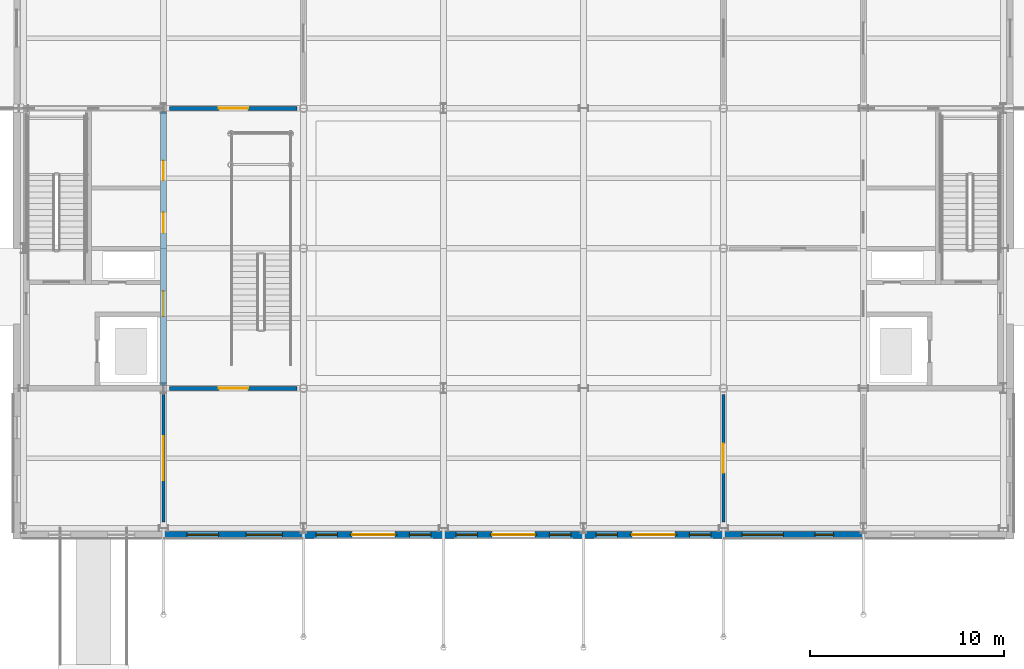
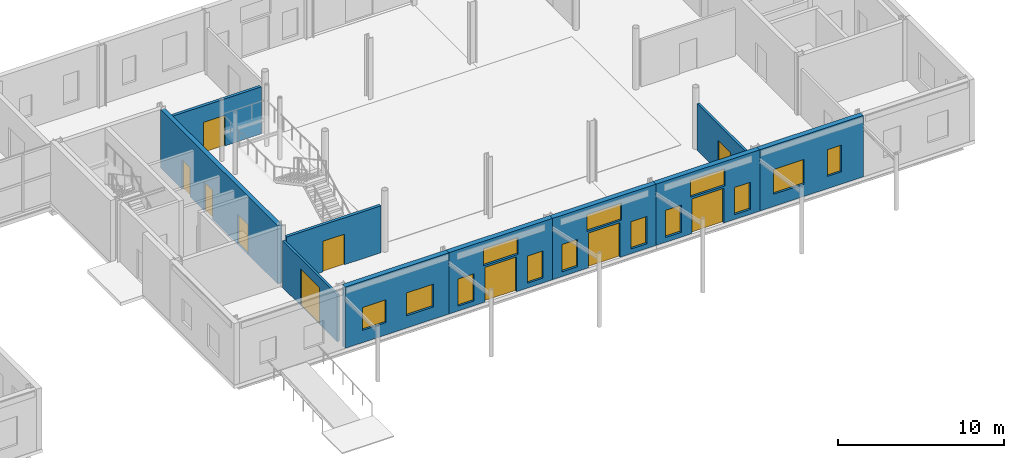
# One storey, part 57 of 92: 13 windows, 10 doors, 10 walls, 23 openings.
"""IFC4 building model written with IfcOpenShell, lengths in metres."""

from ifc_helpers import new_model, si_unit, direction, frame, frame_2d, origin, place, context, subcontext, project, spatial, rectangle, extrude, material, layer, layer_set, type_object, element, fill, save


model = new_model("IFC4")

# Units and contexts
model_context = context("Model", 3, precision=1e-05, world=origin(), true_north=direction((0.0, 1.0)))
body_context = subcontext(model_context, "Body", "Model", "MODEL_VIEW")
ifc_project = project(units=[si_unit("LENGTHUNIT", "METRE"), si_unit("AREAUNIT", "SQUARE_METRE"), si_unit("VOLUMEUNIT", "CUBIC_METRE"), si_unit("PLANEANGLEUNIT", "RADIAN"), si_unit("MASSUNIT", "GRAM", prefix="KILO")], contexts=[model_context])

# Site, building, storey
site_placement = place(None, origin())
site = spatial("IfcSite", under=ifc_project, at=site_placement, CompositionType="ELEMENT")
building_placement = place(site_placement, origin())
building = spatial("IfcBuilding", under=site, at=building_placement, Name="Zlatovets Crest Museum", CompositionType="ELEMENT")
storey_placement = place(building_placement, origin())
storey = spatial("IfcBuildingStorey", under=building, at=storey_placement, Name="L00", CompositionType="ELEMENT", Elevation=0.0)

# Wall, openings, doors
ifc_material_1 = material(Name="Concrete C35/45", Category="concrete")
ifc_layer_1 = layer(ifc_material_1, 0.300048828125)
ifc_layer_set_1 = layer_set([ifc_layer_1], Name="Concrete C35/45")
wall_type_1 = type_object("IfcWallType", Name="CoreWall_SW01", PredefinedType="SHEAR", material=ifc_layer_set_1)
wall_1_placement = place(storey_placement, frame((64.800048828125, 7.35009765625, 0.0), z_axis=(0.0, 0.0, 1.0), x_axis=(0.0, 1.0, 0.0)))
wall_1 = element("IfcWall", 1, at=wall_1_placement, inside=storey, type_object=wall_type_1, Name="Core C2 L00 Spine Shear Wall", PredefinedType="SHEAR", context=body_context, shape_type="SweptSolid", body=[
    extrude(rectangle(XDim=14.099853515625, YDim=0.300048828125, at=frame_2d((7.0498046875, 0.0))), origin(), (0.0, 0.0, 1.0), 4.280029296875),
])
opening_1_placement = place(wall_1_placement, frame((3.550048828125, 0.0, 0.0)))
opening_1 = element("IfcOpeningElement", 2, at=opening_1_placement, cuts=wall_1, Name="Opening FD-01", PredefinedType="OPENING", context=body_context, shape_type="SweptSolid", body=[
    extrude(rectangle(XDim=1.300048828125, YDim=2.199951171875, at=frame_2d((0.64990234375, 1.10009765625))), frame((0.0, 0.16015625, 0.0), z_axis=(0.0, -1.0, 0.0), x_axis=(1.0, 0.0, 0.0)), (0.0, 0.0, 1.0), 0.320068359375),
])
opening_2_placement = place(wall_1_placement, frame((7.85009765625, 0.0, 0.0)))
opening_2 = element("IfcOpeningElement", 3, at=opening_2_placement, cuts=wall_1, Name="Opening ID-02", PredefinedType="OPENING", context=body_context, shape_type="SweptSolid", body=[
    extrude(rectangle(XDim=1.050048828125, YDim=2.14990234375, at=frame_2d((0.52490234375, 1.074951171875))), frame((0.0, 0.16015625, 0.0), z_axis=(0.0, -1.0, 0.0), x_axis=(1.0, 0.0, 0.0)), (0.0, 0.0, 1.0), 0.320068359375),
])
opening_3_placement = place(wall_1_placement, frame((10.550048828125, 0.0, 0.0)))
opening_3 = element("IfcOpeningElement", 4, at=opening_3_placement, cuts=wall_1, Name="Opening ID-01", PredefinedType="OPENING", context=body_context, shape_type="SweptSolid", body=[
    extrude(rectangle(XDim=1.0, YDim=2.14990234375, at=frame_2d((0.5, 1.074951171875))), frame((0.0, 0.16015625, 0.0), z_axis=(0.0, -1.0, 0.0), x_axis=(1.0, 0.0, 0.0)), (0.0, 0.0, 1.0), 0.320068359375),
])
ifc_material_2 = material(Name="Smoke-sealed steel fire door", Category="steel")
door_type_1 = type_object("IfcDoorType", Name="IntDoor_FD-01", OperationType="NOTDEFINED", PredefinedType="DOOR", material=ifc_material_2)
door_1_placement = place(opening_1_placement, origin())
door_1 = element("IfcDoor", 5, at=door_1_placement, inside=storey, type_object=door_type_1, Name="CDOOR-C2-L00-LOB Core C2 L00 Lobby Fire Door", OperationType="SINGLE_SWING_RIGHT", OverallHeight=2.199951171875, OverallWidth=1.300048828125, PredefinedType="DOOR", context=body_context, shape_type="SweptSolid", body=[
    extrude(rectangle(XDim=1.300048828125, YDim=2.199951171875, at=frame_2d((0.64990234375, 1.10009765625))), frame((0.0, 0.02490234375, 0.0), z_axis=(0.0, -1.0, 0.0), x_axis=(1.0, 0.0, 0.0)), (0.0, 0.0, 1.0), 0.050048828125),
])
fill(opening_1, door_1)
ifc_material_3 = material(Name="Solid oak museum room door")
door_type_2 = type_object("IfcDoorType", Name="IntDoor_ID-01", OperationType="NOTDEFINED", PredefinedType="DOOR", material=ifc_material_3)
door_2_placement = place(opening_3_placement, origin())
door_2 = element("IfcDoor", 6, at=door_2_placement, inside=storey, type_object=door_type_2, Name="CDOOR-C2-L00-WC Core C2 L00 Public Restroom Door", OperationType="SINGLE_SWING_RIGHT", OverallHeight=2.14990234375, OverallWidth=1.0, PredefinedType="DOOR", context=body_context, shape_type="SweptSolid", body=[
    extrude(rectangle(XDim=1.0, YDim=2.14990234375, at=frame_2d((0.5, 1.074951171875))), frame((0.0, 0.02490234375, 0.0), z_axis=(0.0, -1.0, 0.0), x_axis=(1.0, 0.0, 0.0)), (0.0, 0.0, 1.0), 0.050048828125),
])
fill(opening_3, door_2)
ifc_material_4 = material(Name="Accessible sanitary room door")
door_type_3 = type_object("IfcDoorType", Name="IntDoor_ID-02", OperationType="NOTDEFINED", PredefinedType="DOOR", material=ifc_material_4)
door_3_placement = place(opening_2_placement, origin())
door_3 = element("IfcDoor", 7, at=door_3_placement, inside=storey, type_object=door_type_3, Name="CDOOR-C2-L00-AWC Core C2 L00 Accessible WC Door", OperationType="SINGLE_SWING_LEFT", OverallHeight=2.14990234375, OverallWidth=1.050048828125, PredefinedType="DOOR", context=body_context, shape_type="SweptSolid", body=[
    extrude(rectangle(XDim=1.050048828125, YDim=2.14990234375, at=frame_2d((0.52490234375, 1.074951171875))), frame((0.0, 0.02490234375, 0.0), z_axis=(0.0, -1.0, 0.0), x_axis=(1.0, 0.0, 0.0)), (0.0, 0.0, 1.0), 0.050048828125),
])
fill(opening_2, door_3)

# Wall, openings, windows
ifc_material_5 = material(Name="Vratsa limestone ashlar masonry and mineral wool", Category="masonry")
ifc_layer_2 = layer(ifc_material_5, 0.35009765625)
ifc_layer_set_2 = layer_set([ifc_layer_2], Name="Vratsa limestone ashlar masonry and mineral wool")
wall_type_2 = type_object("IfcWallType", Name="ExtWall_EW-01", PredefinedType="STANDARD", material=ifc_layer_set_2)
wall_2_placement = place(storey_placement, frame((64.800048828125, -0.340087890625, 0.0), z_axis=(0.0, 0.0, 1.0), x_axis=(1.0, 0.0, 0.0)))
wall_2 = element("IfcWall", 8, at=wall_2_placement, inside=storey, type_object=wall_type_2, Name="V2 L00 Vratsa Limestone Plinth Wall", PredefinedType="STANDARD", context=body_context, shape_type="SweptSolid", body=[
    extrude(rectangle(XDim=7.199951171875, YDim=0.35009765625, at=frame_2d((3.60009765625, 0.0))), origin(), (0.0, 0.0, 1.0), 4.5),
])
opening_4_placement = place(wall_2_placement, frame((1.200927734375, 0.0, 0.89990234375)))
opening_4 = element("IfcOpeningElement", 9, at=opening_4_placement, cuts=wall_2, Name="Opening WN-25", PredefinedType="OPENING", context=body_context, shape_type="SweptSolid", body=[
    extrude(rectangle(XDim=1.6298828125, YDim=1.679931640625, at=frame_2d((0.81494140625, 0.83984375))), frame((0.0, 0.18505859375, 0.0), z_axis=(0.0, -1.0, 0.0), x_axis=(1.0, 0.0, 0.0)), (0.0, 0.0, 1.0), 0.3701171875),
])
opening_5_placement = place(wall_2_placement, frame((4.2490234375, 0.0, 0.89990234375)))
opening_5 = element("IfcOpeningElement", 10, at=opening_5_placement, cuts=wall_2, Name="Opening WN-26", PredefinedType="OPENING", context=body_context, shape_type="SweptSolid", body=[
    extrude(rectangle(XDim=1.8701171875, YDim=1.679931640625, at=frame_2d((0.93505859375, 0.83984375))), frame((0.0, 0.18505859375, 0.0), z_axis=(0.0, -1.0, 0.0), x_axis=(1.0, 0.0, 0.0)), (0.0, 0.0, 1.0), 0.3701171875),
])
ifc_material_6 = material(Name="Bronze-anodised aluminium frame with low-E triple glass", Category="aluminium")
window_type_1 = type_object("IfcWindowType", Name="Win_WN-25", PartitioningType="SINGLE_PANEL", PredefinedType="WINDOW", material=ifc_material_6)
window_1_placement = place(opening_4_placement, origin())
window_1 = element("IfcWindow", 11, at=window_1_placement, inside=storey, type_object=window_type_1, Name="V2 L00 Secession Plinth Window WN-25", OverallHeight=1.679931640625, OverallWidth=1.6298828125, PartitioningType="SINGLE_PANEL", PredefinedType="WINDOW", context=body_context, shape_type="SweptSolid", body=[
    extrude(rectangle(XDim=1.6298828125, YDim=1.679931640625, at=frame_2d((0.81494140625, 0.83984375))), frame((0.0, 0.030029296875, 0.0), z_axis=(0.0, -1.0, 0.0), x_axis=(1.0, 0.0, 0.0)), (0.0, 0.0, 1.0), 0.06005859375),
])
fill(opening_4, window_1)
window_type_2 = type_object("IfcWindowType", Name="Win_WN-26", PartitioningType="SINGLE_PANEL", PredefinedType="WINDOW", material=ifc_material_6)
window_2_placement = place(opening_5_placement, origin())
window_2 = element("IfcWindow", 12, at=window_2_placement, inside=storey, type_object=window_type_2, Name="V2 L00 Secession Plinth Window WN-26", OverallHeight=1.679931640625, OverallWidth=1.8701171875, PartitioningType="SINGLE_PANEL", PredefinedType="WINDOW", context=body_context, shape_type="SweptSolid", body=[
    extrude(rectangle(XDim=1.8701171875, YDim=1.679931640625, at=frame_2d((0.93505859375, 0.83984375))), frame((0.0, 0.030029296875, 0.0), z_axis=(0.0, -1.0, 0.0), x_axis=(1.0, 0.0, 0.0)), (0.0, 0.0, 1.0), 0.06005859375),
])
fill(opening_5, window_2)

# Wall, openings, door, windows
wall_3_placement = place(storey_placement, frame((72.0, -0.340087890625, 0.0), z_axis=(0.0, 0.0, 1.0), x_axis=(1.0, 0.0, 0.0)))
wall_3 = element("IfcWall", 13, at=wall_3_placement, inside=storey, type_object=wall_type_2, Name="V2 L00 Sculpted Art Nouveau Portal Wall", PredefinedType="STANDARD", context=body_context, shape_type="SweptSolid", body=[
    extrude(rectangle(XDim=7.199951171875, YDim=0.35009765625, at=frame_2d((3.60009765625, 0.0))), origin(), (0.0, 0.0, 1.0), 4.5),
])
opening_6_placement = place(wall_3_placement, frame((2.5, 0.0, 0.0)))
opening_6 = element("IfcOpeningElement", 14, at=opening_6_placement, cuts=wall_3, Name="Opening ED-01", PredefinedType="OPENING", context=body_context, shape_type="SweptSolid", body=[
    extrude(rectangle(XDim=2.199951171875, YDim=2.550048828125, at=frame_2d((1.10009765625, 1.27490234375))), frame((0.0, 0.18505859375, 0.0), z_axis=(0.0, -1.0, 0.0), x_axis=(1.0, 0.0, 0.0)), (0.0, 0.0, 1.0), 0.3701171875),
])
opening_7_placement = place(wall_3_placement, frame((2.39990234375, 0.0, 2.699951171875)))
opening_7 = element("IfcOpeningElement", 15, at=opening_7_placement, cuts=wall_3, Name="Opening WN-14", PredefinedType="OPENING", context=body_context, shape_type="SweptSolid", body=[
    extrude(rectangle(XDim=2.39990234375, YDim=1.25, at=frame_2d((1.199951171875, 0.625))), frame((0.0, 0.18505859375, 0.0), z_axis=(0.0, -1.0, 0.0), x_axis=(1.0, 0.0, 0.0)), (0.0, 0.0, 1.0), 0.3701171875),
])
opening_8_placement = place(wall_3_placement, frame((0.64990234375, 0.0, 0.35009765625)))
opening_8 = element("IfcOpeningElement", 16, at=opening_8_placement, cuts=wall_3, Name="Opening WN-06", PredefinedType="OPENING", context=body_context, shape_type="SweptSolid", body=[
    extrude(rectangle(XDim=1.10009765625, YDim=2.0, at=frame_2d((0.550048828125, 1.0))), frame((0.0, 0.18505859375, 0.0), z_axis=(0.0, -1.0, 0.0), x_axis=(1.0, 0.0, 0.0)), (0.0, 0.0, 1.0), 0.3701171875),
])
opening_9_placement = place(wall_3_placement, frame((5.449951171875, 0.0, 0.35009765625)))
opening_9 = element("IfcOpeningElement", 17, at=opening_9_placement, cuts=wall_3, Name="Opening WN-06", PredefinedType="OPENING", context=body_context, shape_type="SweptSolid", body=[
    extrude(rectangle(XDim=1.10009765625, YDim=2.0, at=frame_2d((0.550048828125, 1.0))), frame((0.0, 0.18505859375, 0.0), z_axis=(0.0, -1.0, 0.0), x_axis=(1.0, 0.0, 0.0)), (0.0, 0.0, 1.0), 0.3701171875),
])
ifc_material_7 = material(Name="Bronze-clad insulated steel door", Category="steel")
door_type_4 = type_object("IfcDoorType", Name="ExtDoor_ED-01", OperationType="NOTDEFINED", PredefinedType="DOOR", material=ifc_material_7)
door_4_placement = place(opening_6_placement, origin())
door_4 = element("IfcDoor", 18, at=door_4_placement, inside=storey, type_object=door_type_4, Name="ED-V2-L00-P012 MAIN BOULEVARD ENTRANCE Exit Door", OperationType="DOUBLE_DOOR_SINGLE_SWING", OverallHeight=2.550048828125, OverallWidth=2.199951171875, PredefinedType="DOOR", context=body_context, shape_type="SweptSolid", body=[
    extrude(rectangle(XDim=2.199951171875, YDim=2.550048828125, at=frame_2d((1.10009765625, 1.27490234375))), frame((0.0, 0.02490234375, 0.0), z_axis=(0.0, -1.0, 0.0), x_axis=(1.0, 0.0, 0.0)), (0.0, 0.0, 1.0), 0.050048828125),
])
fill(opening_6, door_4)
window_type_3 = type_object("IfcWindowType", Name="Win_WN-06", PartitioningType="SINGLE_PANEL", PredefinedType="WINDOW", material=ifc_material_6)
window_3_placement = place(opening_8_placement, origin())
window_3 = element("IfcWindow", 19, at=window_3_placement, inside=storey, type_object=window_type_3, Name="MAIN BOULEVARD ENTRANCE Glazed Portal Sidelight 1", OverallHeight=2.0, OverallWidth=1.10009765625, PartitioningType="SINGLE_PANEL", PredefinedType="WINDOW", context=body_context, shape_type="SweptSolid", body=[
    extrude(rectangle(XDim=1.10009765625, YDim=2.0, at=frame_2d((0.550048828125, 1.0))), frame((0.0, 0.030029296875, 0.0), z_axis=(0.0, -1.0, 0.0), x_axis=(1.0, 0.0, 0.0)), (0.0, 0.0, 1.0), 0.06005859375),
])
fill(opening_8, window_3)
window_4_placement = place(opening_9_placement, origin())
window_4 = element("IfcWindow", 20, at=window_4_placement, inside=storey, type_object=window_type_3, Name="MAIN BOULEVARD ENTRANCE Glazed Portal Sidelight 2", OverallHeight=2.0, OverallWidth=1.10009765625, PartitioningType="SINGLE_PANEL", PredefinedType="WINDOW", context=body_context, shape_type="SweptSolid", body=[
    extrude(rectangle(XDim=1.10009765625, YDim=2.0, at=frame_2d((0.550048828125, 1.0))), frame((0.0, 0.030029296875, 0.0), z_axis=(0.0, -1.0, 0.0), x_axis=(1.0, 0.0, 0.0)), (0.0, 0.0, 1.0), 0.06005859375),
])
fill(opening_9, window_4)
window_type_4 = type_object("IfcWindowType", Name="Win_WN-14", PartitioningType="SINGLE_PANEL", PredefinedType="WINDOW", material=ifc_material_6)
window_5_placement = place(opening_7_placement, origin())
window_5 = element("IfcWindow", 21, at=window_5_placement, inside=storey, type_object=window_type_4, Name="MAIN BOULEVARD ENTRANCE Arched Portal Fanlight", OverallHeight=1.25, OverallWidth=2.39990234375, PartitioningType="SINGLE_PANEL", PredefinedType="WINDOW", context=body_context, shape_type="SweptSolid", body=[
    extrude(rectangle(XDim=2.39990234375, YDim=1.25, at=frame_2d((1.199951171875, 0.625))), frame((0.0, 0.030029296875, 0.0), z_axis=(0.0, -1.0, 0.0), x_axis=(1.0, 0.0, 0.0)), (0.0, 0.0, 1.0), 0.06005859375),
])
fill(opening_7, window_5)

wall_4_placement = place(storey_placement, frame((79.199951171875, -0.340087890625, 0.0), z_axis=(0.0, 0.0, 1.0), x_axis=(1.0, 0.0, 0.0)))
wall_4 = element("IfcWall", 22, at=wall_4_placement, inside=storey, type_object=wall_type_2, Name="V2 L00 Sculpted Art Nouveau Portal Wall", PredefinedType="STANDARD", context=body_context, shape_type="SweptSolid", body=[
    extrude(rectangle(XDim=7.199951171875, YDim=0.35009765625, at=frame_2d((3.60009765625, 0.0))), origin(), (0.0, 0.0, 1.0), 4.5),
])
opening_10_placement = place(wall_4_placement, frame((2.5, 0.0, 0.0)))
opening_10 = element("IfcOpeningElement", 23, at=opening_10_placement, cuts=wall_4, Name="Opening ED-01", PredefinedType="OPENING", context=body_context, shape_type="SweptSolid", body=[
    extrude(rectangle(XDim=2.199951171875, YDim=2.550048828125, at=frame_2d((1.10009765625, 1.27490234375))), frame((0.0, 0.18505859375, 0.0), z_axis=(0.0, -1.0, 0.0), x_axis=(1.0, 0.0, 0.0)), (0.0, 0.0, 1.0), 0.3701171875),
])
opening_11_placement = place(wall_4_placement, frame((2.39990234375, 0.0, 2.699951171875)))
opening_11 = element("IfcOpeningElement", 24, at=opening_11_placement, cuts=wall_4, Name="Opening WN-14", PredefinedType="OPENING", context=body_context, shape_type="SweptSolid", body=[
    extrude(rectangle(XDim=2.39990234375, YDim=1.25, at=frame_2d((1.199951171875, 0.625))), frame((0.0, 0.18505859375, 0.0), z_axis=(0.0, -1.0, 0.0), x_axis=(1.0, 0.0, 0.0)), (0.0, 0.0, 1.0), 0.3701171875),
])
opening_12_placement = place(wall_4_placement, frame((0.64990234375, 0.0, 0.35009765625)))
opening_12 = element("IfcOpeningElement", 25, at=opening_12_placement, cuts=wall_4, Name="Opening WN-06", PredefinedType="OPENING", context=body_context, shape_type="SweptSolid", body=[
    extrude(rectangle(XDim=1.10009765625, YDim=2.0, at=frame_2d((0.550048828125, 1.0))), frame((0.0, 0.18505859375, 0.0), z_axis=(0.0, -1.0, 0.0), x_axis=(1.0, 0.0, 0.0)), (0.0, 0.0, 1.0), 0.3701171875),
])
opening_13_placement = place(wall_4_placement, frame((5.449951171875, 0.0, 0.35009765625)))
opening_13 = element("IfcOpeningElement", 26, at=opening_13_placement, cuts=wall_4, Name="Opening WN-06", PredefinedType="OPENING", context=body_context, shape_type="SweptSolid", body=[
    extrude(rectangle(XDim=1.10009765625, YDim=2.0, at=frame_2d((0.550048828125, 1.0))), frame((0.0, 0.18505859375, 0.0), z_axis=(0.0, -1.0, 0.0), x_axis=(1.0, 0.0, 0.0)), (0.0, 0.0, 1.0), 0.3701171875),
])
door_5_placement = place(opening_10_placement, origin())
door_5 = element("IfcDoor", 27, at=door_5_placement, inside=storey, type_object=door_type_4, Name="ED-V2-L00-P013 MAIN BOULEVARD ENTRANCE Exit Door", OperationType="DOUBLE_DOOR_SINGLE_SWING", OverallHeight=2.550048828125, OverallWidth=2.199951171875, PredefinedType="DOOR", context=body_context, shape_type="SweptSolid", body=[
    extrude(rectangle(XDim=2.199951171875, YDim=2.550048828125, at=frame_2d((1.10009765625, 1.27490234375))), frame((0.0, 0.02490234375, 0.0), z_axis=(0.0, -1.0, 0.0), x_axis=(1.0, 0.0, 0.0)), (0.0, 0.0, 1.0), 0.050048828125),
])
fill(opening_10, door_5)
window_6_placement = place(opening_12_placement, origin())
window_6 = element("IfcWindow", 28, at=window_6_placement, inside=storey, type_object=window_type_3, Name="MAIN BOULEVARD ENTRANCE Glazed Portal Sidelight 1", OverallHeight=2.0, OverallWidth=1.10009765625, PartitioningType="SINGLE_PANEL", PredefinedType="WINDOW", context=body_context, shape_type="SweptSolid", body=[
    extrude(rectangle(XDim=1.10009765625, YDim=2.0, at=frame_2d((0.550048828125, 1.0))), frame((0.0, 0.030029296875, 0.0), z_axis=(0.0, -1.0, 0.0), x_axis=(1.0, 0.0, 0.0)), (0.0, 0.0, 1.0), 0.06005859375),
])
fill(opening_12, window_6)
window_7_placement = place(opening_13_placement, origin())
window_7 = element("IfcWindow", 29, at=window_7_placement, inside=storey, type_object=window_type_3, Name="MAIN BOULEVARD ENTRANCE Glazed Portal Sidelight 2", OverallHeight=2.0, OverallWidth=1.10009765625, PartitioningType="SINGLE_PANEL", PredefinedType="WINDOW", context=body_context, shape_type="SweptSolid", body=[
    extrude(rectangle(XDim=1.10009765625, YDim=2.0, at=frame_2d((0.550048828125, 1.0))), frame((0.0, 0.030029296875, 0.0), z_axis=(0.0, -1.0, 0.0), x_axis=(1.0, 0.0, 0.0)), (0.0, 0.0, 1.0), 0.06005859375),
])
fill(opening_13, window_7)
window_8_placement = place(opening_11_placement, origin())
window_8 = element("IfcWindow", 30, at=window_8_placement, inside=storey, type_object=window_type_4, Name="MAIN BOULEVARD ENTRANCE Arched Portal Fanlight", OverallHeight=1.25, OverallWidth=2.39990234375, PartitioningType="SINGLE_PANEL", PredefinedType="WINDOW", context=body_context, shape_type="SweptSolid", body=[
    extrude(rectangle(XDim=2.39990234375, YDim=1.25, at=frame_2d((1.199951171875, 0.625))), frame((0.0, 0.030029296875, 0.0), z_axis=(0.0, -1.0, 0.0), x_axis=(1.0, 0.0, 0.0)), (0.0, 0.0, 1.0), 0.06005859375),
])
fill(opening_11, window_8)

wall_5_placement = place(storey_placement, frame((86.39990234375, -0.340087890625, 0.0), z_axis=(0.0, 0.0, 1.0), x_axis=(1.0, 0.0, 0.0)))
wall_5 = element("IfcWall", 31, at=wall_5_placement, inside=storey, type_object=wall_type_2, Name="V2 L00 Sculpted Art Nouveau Portal Wall", PredefinedType="STANDARD", context=body_context, shape_type="SweptSolid", body=[
    extrude(rectangle(XDim=7.2001953125, YDim=0.35009765625, at=frame_2d((3.60009765625, 0.0))), origin(), (0.0, 0.0, 1.0), 4.5),
])
opening_14_placement = place(wall_5_placement, frame((2.5, 0.0, 0.0)))
opening_14 = element("IfcOpeningElement", 32, at=opening_14_placement, cuts=wall_5, Name="Opening ED-01", PredefinedType="OPENING", context=body_context, shape_type="SweptSolid", body=[
    extrude(rectangle(XDim=2.199951171875, YDim=2.550048828125, at=frame_2d((1.10009765625, 1.27490234375))), frame((0.0, 0.18505859375, 0.0), z_axis=(0.0, -1.0, 0.0), x_axis=(1.0, 0.0, 0.0)), (0.0, 0.0, 1.0), 0.3701171875),
])
opening_15_placement = place(wall_5_placement, frame((2.39990234375, 0.0, 2.699951171875)))
opening_15 = element("IfcOpeningElement", 33, at=opening_15_placement, cuts=wall_5, Name="Opening WN-14", PredefinedType="OPENING", context=body_context, shape_type="SweptSolid", body=[
    extrude(rectangle(XDim=2.39990234375, YDim=1.25, at=frame_2d((1.199951171875, 0.625))), frame((0.0, 0.18505859375, 0.0), z_axis=(0.0, -1.0, 0.0), x_axis=(1.0, 0.0, 0.0)), (0.0, 0.0, 1.0), 0.3701171875),
])
opening_16_placement = place(wall_5_placement, frame((0.64990234375, 0.0, 0.35009765625)))
opening_16 = element("IfcOpeningElement", 34, at=opening_16_placement, cuts=wall_5, Name="Opening WN-06", PredefinedType="OPENING", context=body_context, shape_type="SweptSolid", body=[
    extrude(rectangle(XDim=1.10009765625, YDim=2.0, at=frame_2d((0.550048828125, 1.0))), frame((0.0, 0.18505859375, 0.0), z_axis=(0.0, -1.0, 0.0), x_axis=(1.0, 0.0, 0.0)), (0.0, 0.0, 1.0), 0.3701171875),
])
opening_17_placement = place(wall_5_placement, frame((5.449951171875, 0.0, 0.35009765625)))
opening_17 = element("IfcOpeningElement", 35, at=opening_17_placement, cuts=wall_5, Name="Opening WN-06", PredefinedType="OPENING", context=body_context, shape_type="SweptSolid", body=[
    extrude(rectangle(XDim=1.10009765625, YDim=2.0, at=frame_2d((0.550048828125, 1.0))), frame((0.0, 0.18505859375, 0.0), z_axis=(0.0, -1.0, 0.0), x_axis=(1.0, 0.0, 0.0)), (0.0, 0.0, 1.0), 0.3701171875),
])
door_6_placement = place(opening_14_placement, origin())
door_6 = element("IfcDoor", 36, at=door_6_placement, inside=storey, type_object=door_type_4, Name="ED-V2-L00-P014 MAIN BOULEVARD ENTRANCE Exit Door", OperationType="DOUBLE_DOOR_SINGLE_SWING", OverallHeight=2.550048828125, OverallWidth=2.199951171875, PredefinedType="DOOR", context=body_context, shape_type="SweptSolid", body=[
    extrude(rectangle(XDim=2.199951171875, YDim=2.550048828125, at=frame_2d((1.10009765625, 1.27490234375))), frame((0.0, 0.02490234375, 0.0), z_axis=(0.0, -1.0, 0.0), x_axis=(1.0, 0.0, 0.0)), (0.0, 0.0, 1.0), 0.050048828125),
])
fill(opening_14, door_6)
window_9_placement = place(opening_16_placement, origin())
window_9 = element("IfcWindow", 37, at=window_9_placement, inside=storey, type_object=window_type_3, Name="MAIN BOULEVARD ENTRANCE Glazed Portal Sidelight 1", OverallHeight=2.0, OverallWidth=1.10009765625, PartitioningType="SINGLE_PANEL", PredefinedType="WINDOW", context=body_context, shape_type="SweptSolid", body=[
    extrude(rectangle(XDim=1.10009765625, YDim=2.0, at=frame_2d((0.550048828125, 1.0))), frame((0.0, 0.030029296875, 0.0), z_axis=(0.0, -1.0, 0.0), x_axis=(1.0, 0.0, 0.0)), (0.0, 0.0, 1.0), 0.06005859375),
])
fill(opening_16, window_9)
window_10_placement = place(opening_17_placement, origin())
window_10 = element("IfcWindow", 38, at=window_10_placement, inside=storey, type_object=window_type_3, Name="MAIN BOULEVARD ENTRANCE Glazed Portal Sidelight 2", OverallHeight=2.0, OverallWidth=1.10009765625, PartitioningType="SINGLE_PANEL", PredefinedType="WINDOW", context=body_context, shape_type="SweptSolid", body=[
    extrude(rectangle(XDim=1.10009765625, YDim=2.0, at=frame_2d((0.550048828125, 1.0))), frame((0.0, 0.030029296875, 0.0), z_axis=(0.0, -1.0, 0.0), x_axis=(1.0, 0.0, 0.0)), (0.0, 0.0, 1.0), 0.06005859375),
])
fill(opening_17, window_10)
window_11_placement = place(opening_15_placement, origin())
window_11 = element("IfcWindow", 39, at=window_11_placement, inside=storey, type_object=window_type_4, Name="MAIN BOULEVARD ENTRANCE Arched Portal Fanlight", OverallHeight=1.25, OverallWidth=2.39990234375, PartitioningType="SINGLE_PANEL", PredefinedType="WINDOW", context=body_context, shape_type="SweptSolid", body=[
    extrude(rectangle(XDim=2.39990234375, YDim=1.25, at=frame_2d((1.199951171875, 0.625))), frame((0.0, 0.030029296875, 0.0), z_axis=(0.0, -1.0, 0.0), x_axis=(1.0, 0.0, 0.0)), (0.0, 0.0, 1.0), 0.06005859375),
])
fill(opening_15, window_11)

# Wall, openings, windows
wall_6_placement = place(storey_placement, frame((93.60009765625, -0.340087890625, 0.0), z_axis=(0.0, 0.0, 1.0), x_axis=(1.0, 0.0, 0.0)))
wall_6 = element("IfcWall", 40, at=wall_6_placement, inside=storey, type_object=wall_type_2, Name="V2 L00 Vratsa Limestone Plinth Wall", PredefinedType="STANDARD", context=body_context, shape_type="SweptSolid", body=[
    extrude(rectangle(XDim=7.199951171875, YDim=0.35009765625, at=frame_2d((3.60009765625, 0.0))), origin(), (0.0, 0.0, 1.0), 4.5),
])
opening_18_placement = place(wall_6_placement, frame((0.946044921875, 0.0, 0.89990234375)))
opening_18 = element("IfcOpeningElement", 41, at=opening_18_placement, cuts=wall_6, Name="Opening WN-33", PredefinedType="OPENING", context=body_context, shape_type="SweptSolid", body=[
    extrude(rectangle(XDim=2.139892578125, YDim=1.820068359375, at=frame_2d((1.06982421875, 0.91015625))), frame((0.0, 0.18505859375, 0.0), z_axis=(0.0, -1.0, 0.0), x_axis=(1.0, 0.0, 0.0)), (0.0, 0.0, 1.0), 0.3701171875),
])
opening_19_placement = place(wall_6_placement, frame((4.698974609375, 0.0, 0.89990234375)))
opening_19 = element("IfcOpeningElement", 42, at=opening_19_placement, cuts=wall_6, Name="Opening WN-34", PredefinedType="OPENING", context=body_context, shape_type="SweptSolid", body=[
    extrude(rectangle(XDim=0.969970703125, YDim=1.9599609375, at=frame_2d((0.48486328125, 0.97998046875))), frame((0.0, 0.18505859375, 0.0), z_axis=(0.0, -1.0, 0.0), x_axis=(1.0, 0.0, 0.0)), (0.0, 0.0, 1.0), 0.3701171875),
])
window_type_5 = type_object("IfcWindowType", Name="Win_WN-33", PartitioningType="SINGLE_PANEL", PredefinedType="WINDOW", material=ifc_material_6)
window_12_placement = place(opening_18_placement, origin())
window_12 = element("IfcWindow", 43, at=window_12_placement, inside=storey, type_object=window_type_5, Name="V2 L00 Secession Plinth Window WN-33", OverallHeight=1.820068359375, OverallWidth=2.139892578125, PartitioningType="SINGLE_PANEL", PredefinedType="WINDOW", context=body_context, shape_type="SweptSolid", body=[
    extrude(rectangle(XDim=2.139892578125, YDim=1.820068359375, at=frame_2d((1.06982421875, 0.91015625))), frame((0.0, 0.030029296875, 0.0), z_axis=(0.0, -1.0, 0.0), x_axis=(1.0, 0.0, 0.0)), (0.0, 0.0, 1.0), 0.06005859375),
])
fill(opening_18, window_12)
window_type_6 = type_object("IfcWindowType", Name="Win_WN-34", PartitioningType="SINGLE_PANEL", PredefinedType="WINDOW", material=ifc_material_6)
window_13_placement = place(opening_19_placement, origin())
window_13 = element("IfcWindow", 44, at=window_13_placement, inside=storey, type_object=window_type_6, Name="V2 L00 Secession Plinth Window WN-34", OverallHeight=1.9599609375, OverallWidth=0.969970703125, PartitioningType="SINGLE_PANEL", PredefinedType="WINDOW", context=body_context, shape_type="SweptSolid", body=[
    extrude(rectangle(XDim=0.969970703125, YDim=1.9599609375, at=frame_2d((0.48486328125, 0.97998046875))), frame((0.0, 0.030029296875, 0.0), z_axis=(0.0, -1.0, 0.0), x_axis=(1.0, 0.0, 0.0)), (0.0, 0.0, 1.0), 0.06005859375),
])
fill(opening_19, window_13)

# Wall, opening, door
ifc_material_8 = material(Name="Gypsum-encased fire compartment partition")
ifc_layer_3 = layer(ifc_material_8, 0.199951171875)
ifc_layer_set_3 = layer_set([ifc_layer_3], Name="Gypsum-encased fire compartment partition")
wall_type_3 = type_object("IfcWallType", Name="PartWall_PT-01", PredefinedType="PARTITIONING", material=ifc_layer_set_3)
wall_7_placement = place(storey_placement, frame((65.1201171875, 7.199951171875, 0.0), z_axis=(0.0, 0.0, 1.0), x_axis=(1.0, 0.0, 0.0)))
wall_7 = element("IfcWall", 45, at=wall_7_placement, inside=storey, type_object=wall_type_3, Name="V2 L00 Interior Partition PT-01", PredefinedType="PARTITIONING", context=body_context, shape_type="SweptSolid", body=[
    extrude(rectangle(XDim=6.559814453125, YDim=0.199951171875, at=frame_2d((3.27978515625, 0.0))), origin(), (0.0, 0.0, 1.0), 3.449951171875),
])
opening_20_placement = place(wall_7_placement, frame((2.530029296875, 0.0, 0.0)))
opening_20 = element("IfcOpeningElement", 46, at=opening_20_placement, cuts=wall_7, Name="Opening FD-02", PredefinedType="OPENING", context=body_context, shape_type="SweptSolid", body=[
    extrude(rectangle(XDim=1.5, YDim=2.25, at=frame_2d((0.75, 1.125))), frame((0.0, 0.10986328125, 0.0), z_axis=(0.0, -1.0, 0.0), x_axis=(1.0, 0.0, 0.0)), (0.0, 0.0, 1.0), 0.219970703125),
])
ifc_material_9 = material(Name="Double corridor compartment fire door")
door_type_5 = type_object("IfcDoorType", Name="IntDoor_FD-02", OperationType="DOUBLE_DOOR_SINGLE_SWING", PredefinedType="DOOR", material=ifc_material_9)
door_7_placement = place(opening_20_placement, origin())
door_7 = element("IfcDoor", 47, at=door_7_placement, inside=storey, type_object=door_type_5, Name="IDOOR-V2-L00-0057 Main Boulevard Entrance Foyer to Atrium Feature Stair Hall Door", OperationType="DOUBLE_DOOR_SINGLE_SWING", OverallHeight=2.25, OverallWidth=1.5, PredefinedType="DOOR", context=body_context, shape_type="SweptSolid", body=[
    extrude(rectangle(XDim=1.5, YDim=2.25, at=frame_2d((0.75, 1.125))), frame((0.0, 0.02490234375, 0.0), z_axis=(0.0, -1.0, 0.0), x_axis=(1.0, 0.0, 0.0)), (0.0, 0.0, 1.0), 0.050048828125),
])
fill(opening_20, door_7)

wall_8_placement = place(storey_placement, frame((65.1201171875, 21.60009765625, 0.0), z_axis=(0.0, 0.0, 1.0), x_axis=(1.0, 0.0, 0.0)))
wall_8 = element("IfcWall", 48, at=wall_8_placement, inside=storey, type_object=wall_type_3, Name="V2 L00 Interior Partition PT-01", PredefinedType="PARTITIONING", context=body_context, shape_type="SweptSolid", body=[
    extrude(rectangle(XDim=6.559814453125, YDim=0.199951171875, at=frame_2d((3.27978515625, 0.0))), origin(), (0.0, 0.0, 1.0), 3.449951171875),
])
opening_21_placement = place(wall_8_placement, frame((2.530029296875, 0.0, 0.0)))
opening_21 = element("IfcOpeningElement", 49, at=opening_21_placement, cuts=wall_8, Name="Opening FD-02", PredefinedType="OPENING", context=body_context, shape_type="SweptSolid", body=[
    extrude(rectangle(XDim=1.5, YDim=2.25, at=frame_2d((0.75, 1.125))), frame((0.0, 0.10986328125, 0.0), z_axis=(0.0, -1.0, 0.0), x_axis=(1.0, 0.0, 0.0)), (0.0, 0.0, 1.0), 0.219970703125),
])
door_8_placement = place(opening_21_placement, origin())
door_8 = element("IfcDoor", 50, at=door_8_placement, inside=storey, type_object=door_type_5, Name="IDOOR-V2-L00-0063 Visitor Ticketing and Cloakroom to Atrium Feature Stair Hall Door", OperationType="DOUBLE_DOOR_SINGLE_SWING", OverallHeight=2.25, OverallWidth=1.5, PredefinedType="DOOR", context=body_context, shape_type="SweptSolid", body=[
    extrude(rectangle(XDim=1.5, YDim=2.25, at=frame_2d((0.75, 1.125))), frame((0.0, 0.02490234375, 0.0), z_axis=(0.0, -1.0, 0.0), x_axis=(1.0, 0.0, 0.0)), (0.0, 0.0, 1.0), 0.050048828125),
])
fill(opening_21, door_8)

ifc_material_10 = material(Name="Acoustic museum gallery stud partition")
ifc_layer_4 = layer(ifc_material_10, 0.159912109375)
ifc_layer_set_4 = layer_set([ifc_layer_4], Name="Acoustic museum gallery stud partition")
wall_type_4 = type_object("IfcWallType", Name="PartWall_PT-02", PredefinedType="PARTITIONING", material=ifc_layer_set_4)
wall_9_placement = place(storey_placement, frame((64.800048828125, 0.320068359375, 0.0), z_axis=(0.0, 0.0, 1.0), x_axis=(0.0, 1.0, 0.0)))
wall_9 = element("IfcWall", 51, at=wall_9_placement, inside=storey, type_object=wall_type_4, Name="V2 L00 Interior Partition PT-02", PredefinedType="PARTITIONING", context=body_context, shape_type="SweptSolid", body=[
    extrude(rectangle(XDim=6.559814453125, YDim=0.159912109375, at=frame_2d((3.27978515625, 0.0))), origin(), (0.0, 0.0, 1.0), 3.449951171875),
])
opening_22_placement = place(wall_9_placement, frame((2.155029296875, 0.0, 0.0)))
opening_22 = element("IfcOpeningElement", 52, at=opening_22_placement, cuts=wall_9, Name="Opening ID-28", PredefinedType="OPENING", context=body_context, shape_type="SweptSolid", body=[
    extrude(rectangle(XDim=2.25, YDim=2.699951171875, at=frame_2d((1.125, 1.35009765625))), frame((0.0, 0.08984375, 0.0), z_axis=(0.0, -1.0, 0.0), x_axis=(1.0, 0.0, 0.0)), (0.0, 0.0, 1.0), 0.179931640625),
])
ifc_material_11 = material(Name="Ceremonial secession salon portal")
door_type_6 = type_object("IfcDoorType", Name="IntDoor_ID-28", OperationType="DOUBLE_DOOR_SINGLE_SWING", PredefinedType="DOOR", material=ifc_material_11)
door_9_placement = place(opening_22_placement, origin())
door_9 = element("IfcDoor", 53, at=door_9_placement, inside=storey, type_object=door_type_6, Name="IDOOR-V2-L00-0055 Main Boulevard Entrance Foyer to Fire Command Room Door", OperationType="DOUBLE_DOOR_SINGLE_SWING", OverallHeight=2.699951171875, OverallWidth=2.25, PredefinedType="DOOR", context=body_context, shape_type="SweptSolid", body=[
    extrude(rectangle(XDim=2.25, YDim=2.699951171875, at=frame_2d((1.125, 1.35009765625))), frame((0.0, 0.02490234375, 0.0), z_axis=(0.0, -1.0, 0.0), x_axis=(1.0, 0.0, 0.0)), (0.0, 0.0, 1.0), 0.050048828125),
])
fill(opening_22, door_9)

wall_10_placement = place(storey_placement, frame((93.60009765625, 0.320068359375, 0.0), z_axis=(0.0, 0.0, 1.0), x_axis=(0.0, 1.0, 0.0)))
wall_10 = element("IfcWall", 54, at=wall_10_placement, inside=storey, type_object=wall_type_4, Name="V2 L00 Interior Partition PT-02", PredefinedType="PARTITIONING", context=body_context, shape_type="SweptSolid", body=[
    extrude(rectangle(XDim=6.559814453125, YDim=0.159912109375, at=frame_2d((3.27978515625, 0.0))), origin(), (0.0, 0.0, 1.0), 3.449951171875),
])
opening_23_placement = place(wall_10_placement, frame((2.530029296875, 0.0, 0.0)))
opening_23 = element("IfcOpeningElement", 55, at=opening_23_placement, cuts=wall_10, Name="Opening FD-02", PredefinedType="OPENING", context=body_context, shape_type="SweptSolid", body=[
    extrude(rectangle(XDim=1.5, YDim=2.25, at=frame_2d((0.75, 1.125))), frame((0.0, 0.08984375, 0.0), z_axis=(0.0, -1.0, 0.0), x_axis=(1.0, 0.0, 0.0)), (0.0, 0.0, 1.0), 0.179931640625),
])
door_10_placement = place(opening_23_placement, origin())
door_10 = element("IfcDoor", 56, at=door_10_placement, inside=storey, type_object=door_type_5, Name="IDOOR-V2-L00-0056 Main Boulevard Entrance Foyer to Museum Bookshop and Art Editions Door", OperationType="DOUBLE_DOOR_SINGLE_SWING", OverallHeight=2.25, OverallWidth=1.5, PredefinedType="DOOR", context=body_context, shape_type="SweptSolid", body=[
    extrude(rectangle(XDim=1.5, YDim=2.25, at=frame_2d((0.75, 1.125))), frame((0.0, 0.02490234375, 0.0), z_axis=(0.0, -1.0, 0.0), x_axis=(1.0, 0.0, 0.0)), (0.0, 0.0, 1.0), 0.050048828125),
])
fill(opening_23, door_10)

save(model, "model.ifc")
